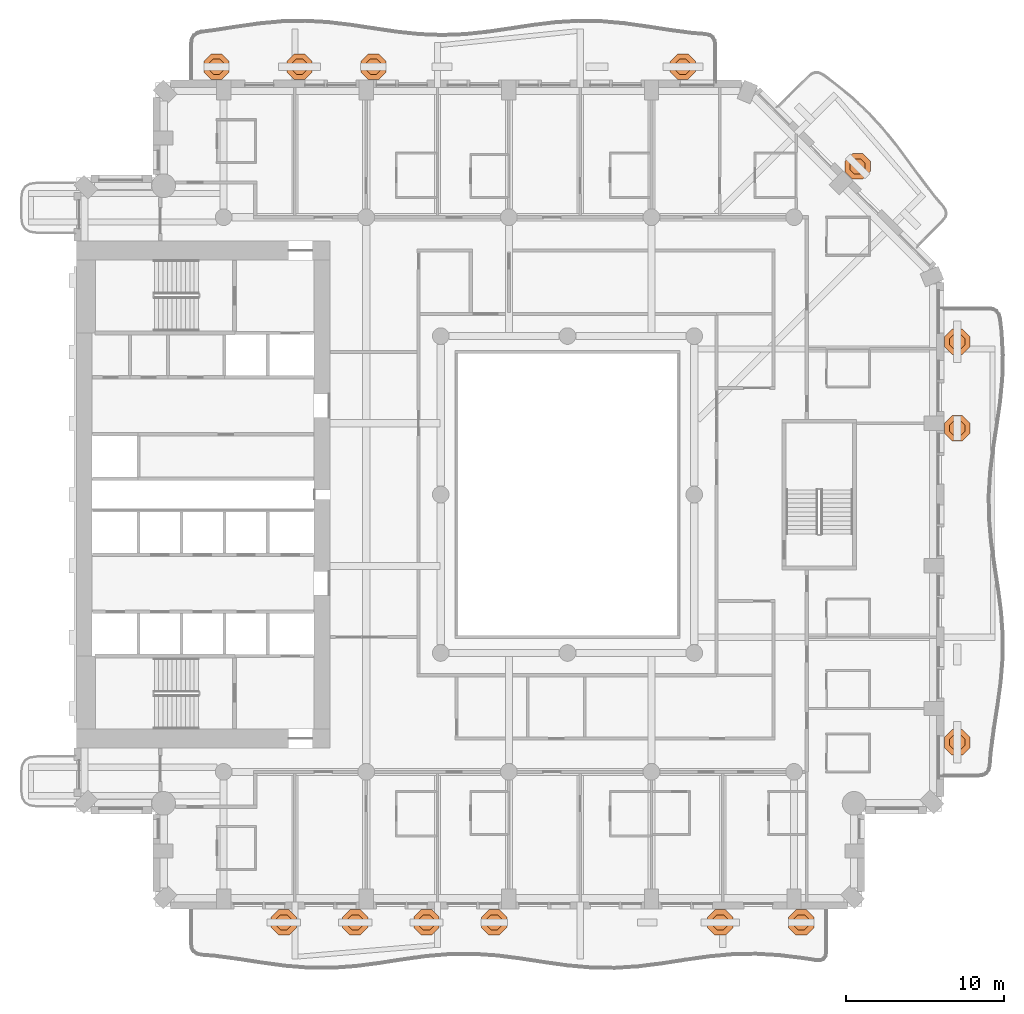
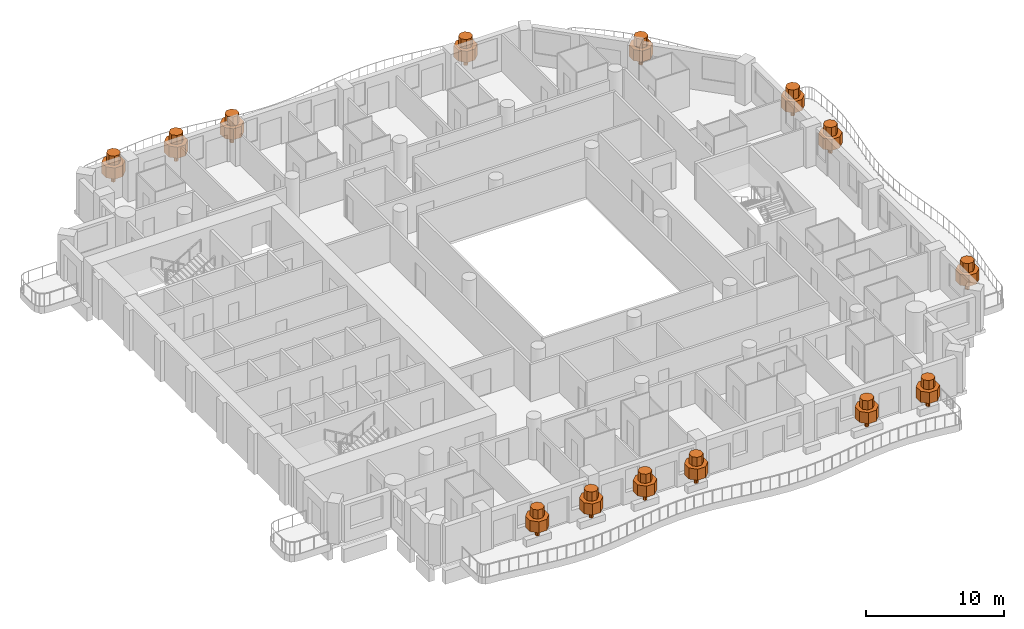
# One storey, part 20 of 20: 14 geographic elements.
"""IFC4 building model written with IfcOpenShell, lengths in metres."""

import ifcopenshell
import ifcopenshell.guid

model = None  # the IFC model being written
_history = None  # IfcOwnerHistory: only IFC2X3 demands one
_inside = {}  # id of a spatial element -> (the spatial element, [elements in it])
_under = {}  # id of a project, library or spatial element -> (it, [spatial elements below it])
_declared = {}  # id of a project -> (the project, [libraries it declares])
_typed = {}  # id of a type object -> (the type object, [elements of that type])
_made_of = {}  # id of a material, layer set ... -> (it, [elements and type objects made of it])


def new_model(schema):
    """Start an empty IFC model of exactly this schema.

    Asked for "IFC4X3", IfcOpenShell would pick the latest addendum, in which some entities
    have other attributes; the version numbers below select the first issue.
    IFC2X3 requires an IfcOwnerHistory on every rooted entity: one is made here for all.
    """
    global model, _history
    if schema == "IFC4X3":
        model = ifcopenshell.file(schema_version=(4, 3, 0, 0))
    else:
        model = ifcopenshell.file(schema=schema)
    _inside.clear()
    _under.clear()
    _declared.clear()
    _typed.clear()
    _made_of.clear()
    _history = None
    if model.schema == "IFC2X3":
        org = make("IfcOrganization", Name="unknown")
        user = make(
            "IfcPersonAndOrganization",
            ThePerson=make("IfcPerson", FamilyName="unknown"),
            TheOrganization=org,
        )
        app = make(
            "IfcApplication",
            ApplicationDeveloper=org,
            Version="unknown",
            ApplicationFullName="unknown",
            ApplicationIdentifier="unknown",
        )
        _history = make(
            "IfcOwnerHistory",
            OwningUser=user,
            OwningApplication=app,
            ChangeAction="ADDED",
            CreationDate=0,
        )
    return model


def make(cls, **values):
    """One entity of the class cls with the attributes given. An attribute that is None is left unset."""
    return model.create_entity(
        cls, **{name: value for name, value in values.items() if value is not None}
    )


def rooted(cls, **values):
    """An entity with a GlobalId (a new one), such as an element, a storey or a relation."""
    return make(cls, GlobalId=ifcopenshell.guid.new(), OwnerHistory=_history, **values)


def si_unit(unit_type, name, prefix=None):
    """IfcSIUnit, for example si_unit("LENGTHUNIT", "METRE", prefix="MILLI")."""
    return make("IfcSIUnit", UnitType=unit_type, Prefix=prefix, Name=name)


def assignment(units):
    """IfcUnitAssignment: the units of a project."""
    return None if units is None else make("IfcUnitAssignment", Units=units)


def point(xyz):
    """IfcCartesianPoint."""
    return None if xyz is None else make("IfcCartesianPoint", Coordinates=xyz)


def direction(xyz):
    """IfcDirection."""
    return None if xyz is None else make("IfcDirection", DirectionRatios=xyz)


def frame(location, z_axis=None, x_axis=None):
    """IfcAxis2Placement3D, a coordinate frame: its origin and axes. An axis left out is left unset."""
    return make(
        "IfcAxis2Placement3D",
        Location=point(location),
        Axis=direction(z_axis),
        RefDirection=direction(x_axis),
    )


def origin():
    """The frame at (0, 0, 0) with its axes left unset."""
    return frame((0.0, 0.0, 0.0))


def place(relative_to, where):
    """IfcLocalPlacement: puts the frame where relative to a parent placement (None: the world)."""
    return make(
        "IfcLocalPlacement", PlacementRelTo=relative_to, RelativePlacement=where
    )


def context(
    kind, dimensions, precision=None, world=None, true_north=None, identifier=None
):
    """IfcGeometricRepresentationContext, for example the 3D "Model" context."""
    return make(
        "IfcGeometricRepresentationContext",
        ContextIdentifier=identifier,
        ContextType=kind,
        CoordinateSpaceDimension=dimensions,
        Precision=precision,
        WorldCoordinateSystem=world,
        TrueNorth=true_north,
    )


def subcontext(parent, identifier, kind, view, scale=None):
    """IfcGeometricRepresentationSubContext, for example "Body" below "Model"."""
    return make(
        "IfcGeometricRepresentationSubContext",
        ContextIdentifier=identifier,
        ContextType=kind,
        ParentContext=parent,
        TargetScale=scale,
        TargetView=view,
    )


def project(units=None, contexts=None):
    """IfcProject with its units and contexts."""
    return rooted(
        "IfcProject",
        Name="project",
        RepresentationContexts=contexts,
        UnitsInContext=assignment(units),
    )


def spatial(cls, under=None, at=None, **own):
    """A site, building, storey or space (cls), placed at a placement, below another one or the project."""
    s = rooted(cls, ObjectPlacement=at, **own)
    if under is not None:
        _under.setdefault(under.id(), (under, []))[1].append(s)
    return s


def polyline(points):
    """IfcPolyline through the points."""
    return make("IfcPolyline", Points=[point(p) for p in points])


def outline(outer, holes=None, kind="AREA"):
    """IfcArbitraryClosedProfileDef: a profile drawn as a closed curve; with holes, ...WithVoids."""
    if holes is None:
        return make("IfcArbitraryClosedProfileDef", ProfileType=kind, OuterCurve=outer)
    return make(
        "IfcArbitraryProfileDefWithVoids",
        ProfileType=kind,
        OuterCurve=outer,
        InnerCurves=holes,
    )


def extrude(swept, where, along, depth):
    """IfcExtrudedAreaSolid: the profile swept, set in the frame where, extruded along a direction by depth."""
    return make(
        "IfcExtrudedAreaSolid",
        SweptArea=swept,
        Position=where,
        ExtrudedDirection=direction(along),
        Depth=depth,
    )


def shape(context_of_items, identifier, shape_type, items):
    """IfcShapeRepresentation: the items that make up one representation, for example the "Body"."""
    return make(
        "IfcShapeRepresentation",
        ContextOfItems=context_of_items,
        RepresentationIdentifier=identifier,
        RepresentationType=shape_type,
        Items=items,
    )


def material(Name=None, Category=None):
    """IfcMaterial."""
    return make("IfcMaterial", Name=Name, Category=Category)


def made_of(thing, what):
    """Note that an element or type object is made of a material, layer set ...; save() writes the relation."""
    if what is not None:
        _made_of.setdefault(what.id(), (what, []))[1].append(thing)
    return thing


def type_object(cls, material=None, **own):
    """A type object (cls), such as IfcWallType, which elements share."""
    return made_of(rooted(cls, **own), material)


def element(
    cls,
    number,
    at=None,
    inside=None,
    cuts=None,
    type_object=None,
    material=None,
    context=None,
    identifier="Body",
    shape_type=None,
    held_by="IfcProductDefinitionShape",
    body=None,
    shapes=None,
    **own,
):
    """One element of the class cls, such as IfcWall. Its Tag is "e" and its number.

    at: its placement. inside: the storey or other place that contains it. cuts: it is an
    opening in that element (IfcRelVoidsElement). A single representation is given by context,
    identifier, shape_type and body (its items); several are given by shapes. held_by: the class
    of the entity that holds the representations. save() writes the other relations.
    """
    e = rooted(cls, Tag="e%d" % number, ObjectPlacement=at, **own)
    if body is not None:
        shapes = [shape(context, identifier, shape_type, body)]
    if shapes is not None:
        e.Representation = make(held_by, Representations=shapes)
    if inside is not None:
        _inside.setdefault(inside.id(), (inside, []))[1].append(e)
    if cuts is not None:
        rooted(
            "IfcRelVoidsElement", RelatingBuildingElement=cuts, RelatedOpeningElement=e
        )
    if type_object is not None:
        _typed.setdefault(type_object.id(), (type_object, []))[1].append(e)
    return made_of(e, material)


def aggregate(whole, parts):
    """IfcRelAggregates: a whole, such as a stair, and the parts it consists of."""
    return rooted("IfcRelAggregates", RelatingObject=whole, RelatedObjects=parts)


def save(model, path):
    """Write the relations noted so far, then the file.

    IfcRelAggregates (storeys below a building ...), IfcRelContainedInSpatialStructure (elements
    in a storey), IfcRelDefinesByType, IfcRelAssociatesMaterial and IfcRelDeclares: one each for
    every whole, place, type object, material and project.
    """
    for whole, parts in _under.values():
        aggregate(whole, parts)
    for where, things in _inside.values():
        rooted(
            "IfcRelContainedInSpatialStructure",
            RelatedElements=things,
            RelatingStructure=where,
        )
    for kind, things in _typed.values():
        rooted("IfcRelDefinesByType", RelatedObjects=things, RelatingType=kind)
    for what, things in _made_of.values():
        rooted("IfcRelAssociatesMaterial", RelatedObjects=things, RelatingMaterial=what)
    for by, libraries in _declared.values():
        rooted("IfcRelDeclares", RelatingContext=by, RelatedDefinitions=libraries)
    model.write(path)


model = new_model("IFC4")

# Units and contexts
model_context = context("Model", 3, precision=1e-05, world=origin(), true_north=direction((0.0, 1.0)))
body_context = subcontext(model_context, "Body", "Model", "MODEL_VIEW")
ifc_project = project(units=[si_unit("LENGTHUNIT", "METRE"), si_unit("AREAUNIT", "SQUARE_METRE"), si_unit("VOLUMEUNIT", "CUBIC_METRE"), si_unit("PLANEANGLEUNIT", "RADIAN"), si_unit("MASSUNIT", "GRAM", prefix="KILO")], contexts=[model_context])

# Site, building, storey
site_placement = place(None, origin())
site = spatial("IfcSite", under=ifc_project, at=site_placement, CompositionType="ELEMENT")
building_placement = place(site_placement, origin())
building = spatial("IfcBuilding", under=site, at=building_placement, Name="Cypress Arch Tower", CompositionType="ELEMENT")
storey_placement = place(building_placement, frame((0.0, 0.0, 109.5)))
storey = spatial("IfcBuildingStorey", under=building, at=storey_placement, Name="L22", CompositionType="ELEMENT", Elevation=109.5)

# Geographic elements
ifc_material = material(Name="Foliage and planting")
geographic_element_type = type_object("IfcGeographicElementType", Name="Balcony tree TR", PredefinedType="USERDEFINED", material=ifc_material)
for number, where, z_axis, x_axis, name in (
    (1, (-16.89990234375, -27.0, 0.60009765625), (0.0, 0.0, 1.0), (1.0, 0.0, 0.0), "Balcony tree L22-A03.1"),
    (2, (-12.39990234375, -27.0, 0.60009765625), (0.0, 0.0, 1.0), (1.0, 0.0, 0.0), "Balcony tree L22-A03.2"),
    (3, (-7.89990234375, -27.0, 0.60009765625), (0.0, 0.0, 1.0), (1.0, 0.0, 0.0), "Balcony tree L22-A03.3"),
    (4, (-3.625, -27.0, 0.60009765625), (0.0, 0.0, 1.0), (1.0, 0.0, 0.0), "Balcony tree L22-A03.4"),
    (5, (10.639892578125, -27.0, 0.60009765625), (0.0, 0.0, 1.0), (1.0, 0.0, 0.0), "Balcony tree L22-A03.6"),
    (6, (15.75, -27.0, 0.60009765625), (0.0, 0.0, 1.0), (1.0, 0.0, 0.0), "Balcony tree L22-A03.7"),
    (7, (25.60009765625, -15.642822265625, 0.60009765625), (0.0, 0.0, 1.0), (1.0, 0.0, 0.0), "Balcony tree L22-A06.1"),
    (8, (25.60009765625, 4.1826171875, 0.60009765625), (0.0, 0.0, 1.0), (1.0, 0.0, 0.0), "Balcony tree L22-A06.3"),
    (9, (25.60009765625, 9.642822265625, 0.60009765625), (0.0, 0.0, 1.0), (1.0, 0.0, 0.0), "Balcony tree L22-A06.4"),
    (10, (19.30712890625, 20.70703125, 0.60009765625), (0.0, 0.0, 1.0), (1.0, 0.0, 0.0), "Balcony tree L22-A07.2"),
    (11, (8.28125, 27.0, 0.60009765625), (0.0, 0.0, 1.0), (1.0, 0.0, 0.0), "Balcony tree L22-A08.1"),
    (12, (-11.24365234375, 27.0, 0.60009765625), (0.0, 0.0, 1.0), (1.0, 0.0, 0.0), "Balcony tree L22-A08.4"),
    (13, (-15.91259765625, 27.0, 0.60009765625), (0.0, 0.0, 1.0), (1.0, 0.0, 0.0), "Balcony tree L22-A08.5"),
    (14, (-21.14990234375, 27.0, 0.60009765625), (0.0, 0.0, 1.0), (1.0, 0.0, 0.0), "Balcony tree L22-A08.6"),
):
    element("IfcGeographicElement", number, at=place(storey_placement, frame(where, z_axis=z_axis, x_axis=x_axis)), inside=storey, type_object=geographic_element_type, Name=name, ObjectType="TREE", PredefinedType="USERDEFINED", context=body_context, shape_type="SweptSolid", body=[
        extrude(outline(polyline([(0.14990234375, 0.06201171875), (0.06201171875, 0.14990234375), (-0.06201171875, 0.14990234375), (-0.14990234375, 0.06201171875), (-0.14990234375, -0.06201171875), (-0.06201171875, -0.14990234375), (0.06201171875, -0.14990234375), (0.14990234375, -0.06201171875), (0.14990234375, 0.06201171875)])), origin(), (0.0, 0.0, 1.0), 0.864990234375),
        extrude(outline(polyline([(0.800048828125, 0.331298828125), (0.331298828125, 0.800048828125), (-0.331298828125, 0.800048828125), (-0.800048828125, 0.331298828125), (-0.800048828125, -0.331298828125), (-0.331298828125, -0.800048828125), (0.331298828125, -0.800048828125), (0.800048828125, -0.331298828125), (0.800048828125, 0.331298828125)])), frame((0.0, 0.0, 0.764892578125)), (0.0, 0.0, 1.0), 0.981689453125),
        extrude(outline(polyline([(0.47998046875, 0.19873046875), (0.19873046875, 0.47998046875), (-0.19873046875, 0.47998046875), (-0.47998046875, 0.19873046875), (-0.47998046875, -0.19873046875), (-0.19873046875, -0.47998046875), (0.19873046875, -0.47998046875), (0.47998046875, -0.19873046875), (0.47998046875, 0.19873046875)])), frame((0.0, 0.0, 1.746826171875)), (0.0, 0.0, 1.0), 0.80322265625),
    ])

save(model, "model.ifc")
